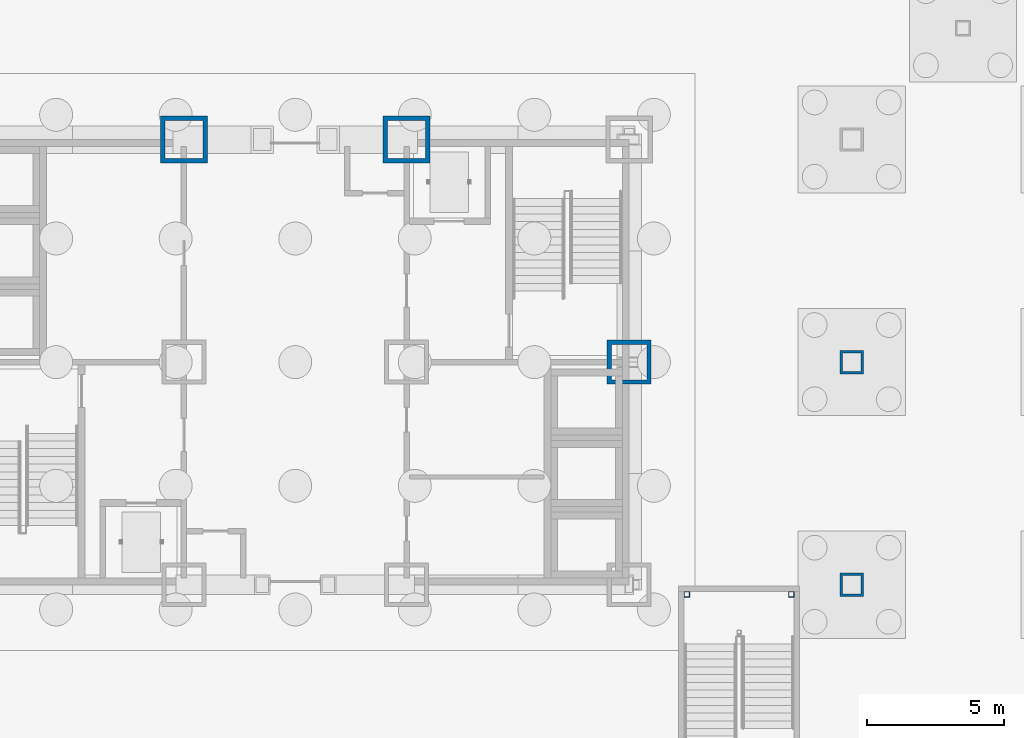
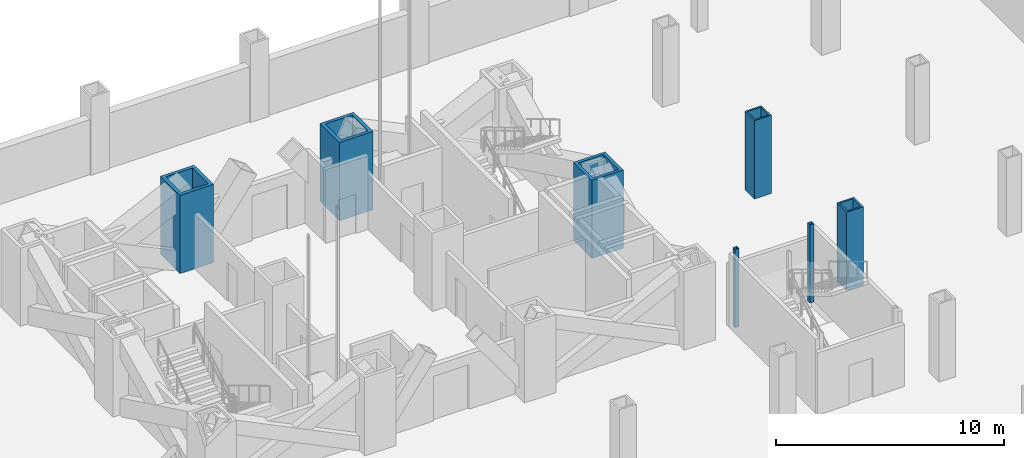
# One storey, part 9 of 17: 7 columns.
"""IFC4 building model written with IfcOpenShell, lengths in metres."""

from ifc_helpers import new_model, si_unit, direction, frame, origin, origin_2d, place, context, subcontext, project, spatial, hollow_rectangle, extrude, material, material_profile, profile_set, type_object, element, save


model = new_model("IFC4")

# Units and contexts
model_context = context("Model", 3, precision=1e-05, world=origin(), true_north=direction((0.0, 1.0)))
body_context = subcontext(model_context, "Body", "Model", "MODEL_VIEW")
ifc_project = project(units=[si_unit("LENGTHUNIT", "METRE"), si_unit("AREAUNIT", "SQUARE_METRE"), si_unit("VOLUMEUNIT", "CUBIC_METRE"), si_unit("PLANEANGLEUNIT", "RADIAN"), si_unit("MASSUNIT", "GRAM", prefix="KILO")], contexts=[model_context])

# Site, building, storey
site_placement = place(None, origin())
site = spatial("IfcSite", under=ifc_project, at=site_placement, CompositionType="ELEMENT")
building_placement = place(site_placement, origin())
building = spatial("IfcBuilding", under=site, at=building_placement, Name="Kopane Lantern Tower", CompositionType="ELEMENT")
storey_placement = place(building_placement, frame((0.0, 0.0, -8.39990234375)))
storey = spatial("IfcBuildingStorey", under=building, at=storey_placement, Name="L-02", CompositionType="ELEMENT", Elevation=-8.39990234375)

# Columns
ifc_material_1 = material(Name="Steel S355JR", Category="steel")
ifc_material_profile_1 = material_profile(ifc_material_1, hollow_rectangle(XDim=1.60009765625, YDim=1.60009765625, WallThickness=0.14990234375, at=origin_2d()), Name="BOX 1600x1600x150")
ifc_profile_set_1 = profile_set([ifc_material_profile_1], Name="Steel S355JR")
column_type_1 = type_object("IfcColumnType", Name="COLUMN BOX 1600x1600x150", PredefinedType="COLUMN", material=ifc_profile_set_1)
column_placement = place(storey_placement, frame((40.5, 32.39990234375, 0.0), z_axis=(0.0, 0.0, 1.0), x_axis=(1.0, 0.0, 0.0)))
element("IfcColumn", 1, at=column_placement, inside=storey, type_object=column_type_1, Name="Column 7/F L-02", PredefinedType="COLUMN", context=body_context, shape_type="SweptSolid", body=[
    extrude(hollow_rectangle(XDim=1.60009765625, YDim=1.60009765625, WallThickness=0.14990234375, at=origin_2d()), origin(), (0.0, 0.0, 1.0), 4.199951171875),
])
ifc_material_2 = material(Name="Steel S355JR", Category="steel")
ifc_material_profile_2 = material_profile(ifc_material_2, hollow_rectangle(XDim=1.699951171875, YDim=1.699951171875, WallThickness=0.159912109375, at=origin_2d()), Name="BOX 1700x1700x160")
ifc_profile_set_2 = profile_set([ifc_material_profile_2], Name="Steel S355JR")
column_type_2 = type_object("IfcColumnType", Name="COLUMN BOX 1700x1700x160", PredefinedType="COLUMN", material=ifc_profile_set_2)
for number, where, z_axis, x_axis, name in (
    (2, (24.300048828125, 40.5, 0.0), (0.0, 0.0, 1.0), (1.0, 0.0, 0.0), "Column 5/G L-02"),
    (3, (32.39990234375, 40.5, 0.0), (0.0, 0.0, 1.0), (1.0, 0.0, 0.0), "Column 6/G L-02"),
):
    element("IfcColumn", number, at=place(storey_placement, frame(where, z_axis=z_axis, x_axis=x_axis)), inside=storey, type_object=column_type_2, Name=name, PredefinedType="COLUMN", context=body_context, shape_type="SweptSolid", body=[
        extrude(hollow_rectangle(XDim=1.699951171875, YDim=1.699951171875, WallThickness=0.159912109375, at=origin_2d()), origin(), (0.0, 0.0, 1.0), 4.199951171875),
    ])
ifc_material_3 = material(Name="Steel S355JR", Category="steel")
ifc_material_profile_3 = material_profile(ifc_material_3, hollow_rectangle(XDim=0.85009765625, YDim=0.85009765625, WallThickness=0.0849609375, at=origin_2d()), Name="BOX 850x850x85")
ifc_profile_set_3 = profile_set([ifc_material_profile_3], Name="Steel S355JR")
column_type_3 = type_object("IfcColumnType", Name="COLUMN BOX 850x850x85", PredefinedType="COLUMN", material=ifc_profile_set_3)
for number, where, z_axis, x_axis, name in (
    (4, (48.60009765625, 24.300048828125, 0.0), (0.0, 0.0, 1.0), (1.0, 0.0, 0.0), "Column 8/E L-02"),
    (5, (48.60009765625, 32.39990234375, 0.0), (0.0, 0.0, 1.0), (1.0, 0.0, 0.0), "Column 8/F L-02"),
):
    element("IfcColumn", number, at=place(storey_placement, frame(where, z_axis=z_axis, x_axis=x_axis)), inside=storey, type_object=column_type_3, Name=name, PredefinedType="COLUMN", context=body_context, shape_type="SweptSolid", body=[
        extrude(hollow_rectangle(XDim=0.85009765625, YDim=0.85009765625, WallThickness=0.0849609375, at=origin_2d()), origin(), (0.0, 0.0, 1.0), 4.199951171875),
    ])
ifc_material_4 = material(Name="Steel S355JR", Category="steel")
ifc_material_profile_4 = material_profile(ifc_material_4, hollow_rectangle(XDim=0.199951171875, YDim=0.199951171875, WallThickness=0.011962890625, at=origin_2d()), Name="BOX 200x200x12")
ifc_profile_set_4 = profile_set([ifc_material_profile_4], Name="Steel S355JR")
column_type_4 = type_object("IfcColumnType", Name="STAIR POST BOX 200x200x12", PredefinedType="COLUMN", material=ifc_profile_set_4)
for number, where, z_axis, x_axis, name in (
    (6, (42.60009765625, 23.949951171875, 0.0), (0.0, 0.0, 1.0), (1.0, 0.0, 0.0), "Stair post ST4 NW L-02"),
    (7, (46.39990234375, 23.949951171875, 0.0), (0.0, 0.0, 1.0), (1.0, 0.0, 0.0), "Stair post ST4 NE L-02"),
):
    element("IfcColumn", number, at=place(storey_placement, frame(where, z_axis=z_axis, x_axis=x_axis)), inside=storey, type_object=column_type_4, Name=name, PredefinedType="COLUMN", context=body_context, shape_type="SweptSolid", body=[
        extrude(hollow_rectangle(XDim=0.199951171875, YDim=0.199951171875, WallThickness=0.011962890625, at=origin_2d()), origin(), (0.0, 0.0, 1.0), 4.199951171875),
    ])

save(model, "model.ifc")
